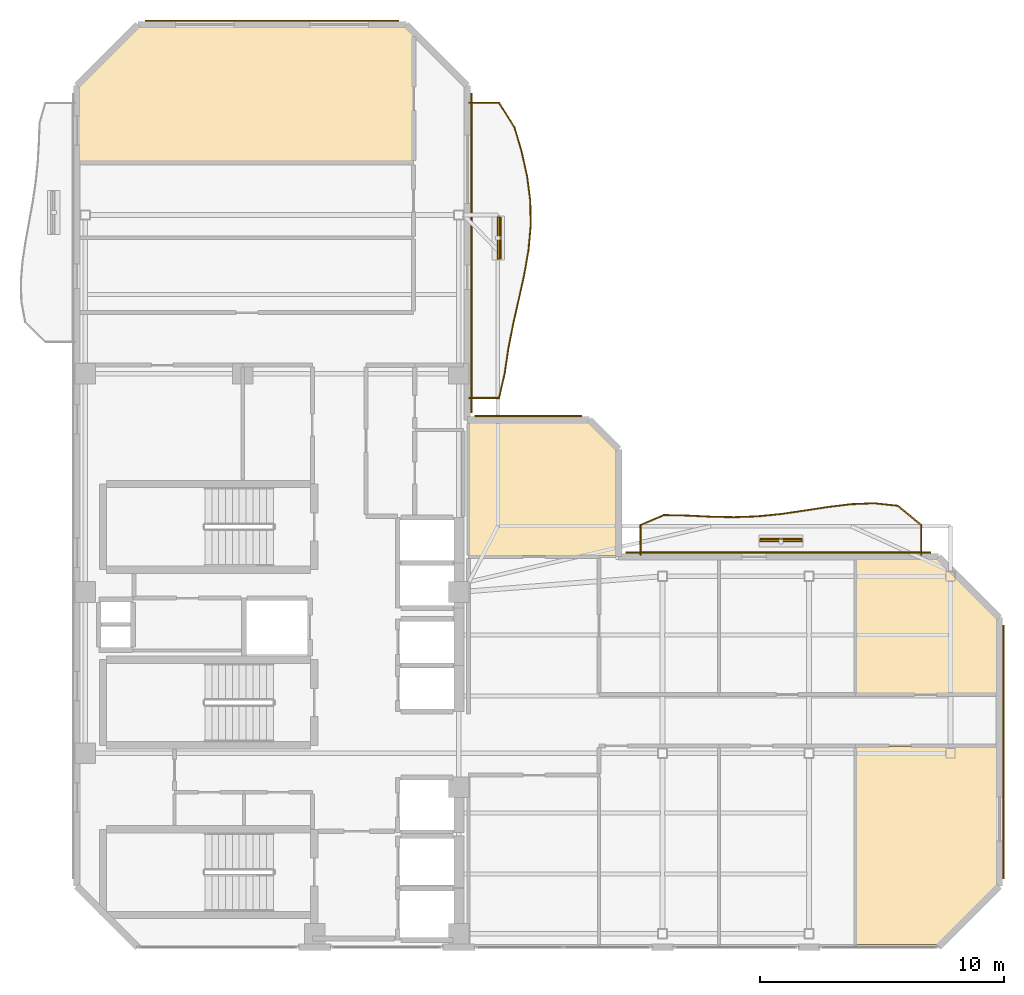
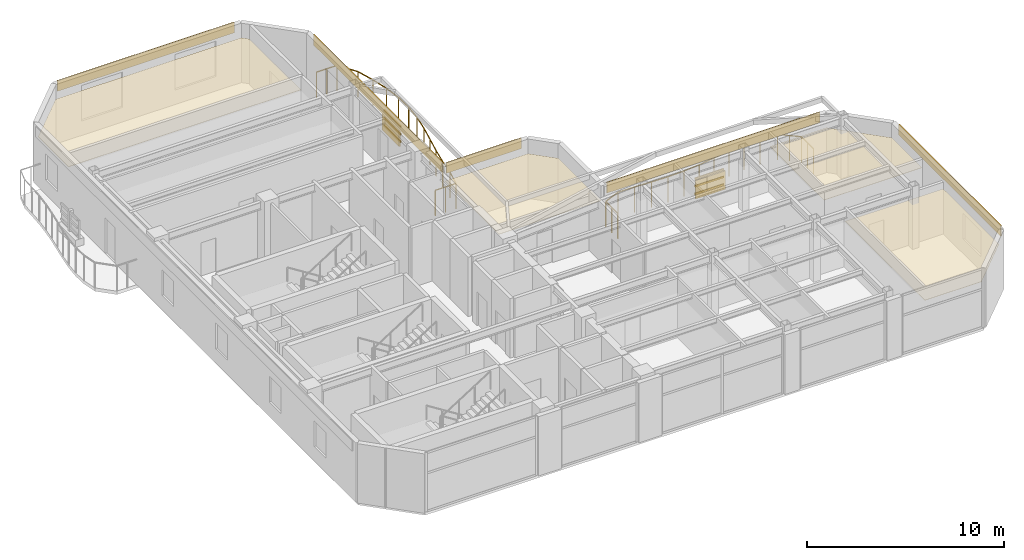
# One storey, part 15 of 15: 9 coverings, 8 shading devices, 2 railings.
"""IFC4 building model written with IfcOpenShell, lengths in metres."""

from ifc_helpers import new_model, si_unit, direction, frame, origin, origin_2d, place, context, subcontext, project, spatial, polyline, rectangle, outline, extrude, material, layer, layer_set, material_profile, profile_set, type_object, element, save


model = new_model("IFC4")

# Units and contexts
model_context = context("Model", 3, precision=1e-05, world=origin(), true_north=direction((0.0, 1.0)))
body_context = subcontext(model_context, "Body", "Model", "MODEL_VIEW")
ifc_project = project(units=[si_unit("LENGTHUNIT", "METRE"), si_unit("AREAUNIT", "SQUARE_METRE"), si_unit("VOLUMEUNIT", "CUBIC_METRE"), si_unit("PLANEANGLEUNIT", "RADIAN"), si_unit("MASSUNIT", "GRAM", prefix="KILO")], contexts=[model_context])

# Site, building, storey
site_placement = place(None, origin())
site = spatial("IfcSite", under=ifc_project, at=site_placement, CompositionType="ELEMENT")
building_placement = place(site_placement, origin())
building = spatial("IfcBuilding", under=site, at=building_placement, Name="Mawjaban Terraces University", CompositionType="ELEMENT")
storey_placement = place(building_placement, frame((0.0, 0.0, 295.0)))
storey = spatial("IfcBuildingStorey", under=building, at=storey_placement, Name="L72", CompositionType="ELEMENT", Elevation=295.0)

# Coverings
ifc_material_1 = material(Name="Acoustic mineral fibre ceiling tile", Category="masonry")
ifc_layer_1 = layer(ifc_material_1, 0.02001953125)
ifc_layer_set_1 = layer_set([ifc_layer_1], Name="Acoustic mineral fibre ceiling tile")
covering_type_1 = type_object("IfcCoveringType", Name="AcousticMineralCeiling_20", PredefinedType="CEILING", material=ifc_layer_set_1)
covering_1_placement = place(storey_placement, frame((0.0, 0.0, 2.75)))
element("IfcCovering", 1, at=covering_1_placement, inside=storey, type_object=covering_type_1, Name="L72 Departmental Office 6 Acoustic Ceiling", PredefinedType="CEILING", context=body_context, shape_type="SweptSolid", body=[
    extrude(outline(polyline([(53.926025390625, 0.114990234375), (57.2529296875, 0.114990234375), (59.68505859375, 2.547119140625), (59.68505859375, 8.219970703125), (53.926025390625, 8.219970703125), (53.926025390625, 0.114990234375)])), origin(), (0.0, 0.0, 1.0), 0.02001953125),
])
covering_2_placement = place(storey_placement, frame((0.0, 0.0, 2.75)))
element("IfcCovering", 2, at=covering_2_placement, inside=storey, type_object=covering_type_1, Name="L72 Faculty Office 7 Acoustic Ceiling", PredefinedType="CEILING", context=body_context, shape_type="SweptSolid", body=[
    extrude(outline(polyline([(59.68505859375, 10.3798828125), (59.68505859375, 13.452880859375), (57.2529296875, 15.885009765625), (53.926025390625, 15.885009765625), (53.926025390625, 10.3798828125), (59.68505859375, 10.3798828125)])), origin(), (0.0, 0.0, 1.0), 0.02001953125),
])
covering_3_placement = place(storey_placement, frame((0.0, 0.0, 2.75)))
element("IfcCovering", 3, at=covering_3_placement, inside=storey, type_object=covering_type_1, Name="L72 Media Workshop 10 Acoustic Ceiling", PredefinedType="CEILING", context=body_context, shape_type="SweptSolid", body=[
    extrude(outline(polyline([(35.77001953125, 37.367919921875), (35.452880859375, 37.68505859375), (24.547119140625, 37.68505859375), (22.114990234375, 35.2529296875), (22.114990234375, 32.166015625), (35.77001953125, 32.166015625), (35.77001953125, 37.367919921875)])), origin(), (0.0, 0.0, 1.0), 0.02001953125),
])
covering_4_placement = place(storey_placement, frame((0.0, 0.0, 2.75)))
element("IfcCovering", 4, at=covering_4_placement, inside=storey, type_object=covering_type_1, Name="L72 Terrace Collaborative Study Room Acoustic Ceiling", PredefinedType="CEILING", context=body_context, shape_type="SweptSolid", body=[
    extrude(outline(polyline([(44.0849609375, 16.030029296875), (44.0849609375, 20.35302734375), (42.952880859375, 21.485107421875), (38.080078125, 21.485107421875), (38.080078125, 16.030029296875), (44.0849609375, 16.030029296875)])), origin(), (0.0, 0.0, 1.0), 0.02001953125),
])

# Railings
ifc_material_2 = material(Name="Galvanised powder-coated steel S355", Category="steel")
railing_type = type_object("IfcRailingType", Name="BalconyBalustrade_1600", PredefinedType="BALUSTRADE", material=ifc_material_2)
railing_1_placement = place(storey_placement, frame((45.10009765625, 16.080078125, 0.0)))
element("IfcRailing", 5, at=railing_1_placement, inside=storey, type_object=railing_type, Name="L72 Balcony Guardrail inner_north", PredefinedType="BALUSTRADE", context=body_context, shape_type="SweptSolid", body=[
    extrude(rectangle(XDim=0.048095703125, YDim=0.048095703125, at=origin_2d()), frame((0.0, 0.0, 1.576171875), z_axis=(0.0, 1.0, 0.0), x_axis=(-1.0, 0.0, 0.0)), (0.0, 0.0, 1.0), 1.219970703125),
    extrude(rectangle(XDim=0.048095703125, YDim=0.048095703125, at=origin_2d()), frame((0.0, 1.219970703125, 1.576171875), z_axis=(0.919375128815, 0.393381967706, 0.0), x_axis=(-0.393381967706, 0.919375128815, 0.0)), (0.0, 0.0, 1.0), 1.0419921875),
    extrude(rectangle(XDim=0.048095703125, YDim=0.048095703125, at=origin_2d()), frame((0.9580078125, 1.6298828125, 1.576171875), z_axis=(0.999782172438, -0.020871216431, 0.0), x_axis=(0.020871216431, 0.999782172438, 0.0)), (0.0, 0.0, 1.0), 0.959228515625),
    extrude(rectangle(XDim=0.048095703125, YDim=0.048095703125, at=origin_2d()), frame((1.9169921875, 1.60986328125, 1.576171875), z_axis=(0.998754876487, -0.049886838887, 0.0), x_axis=(0.049886838887, 0.998754876487, 0.0)), (0.0, 0.0, 1.0), 0.959228515625),
    extrude(rectangle(XDim=0.048095703125, YDim=0.048095703125, at=origin_2d()), frame((2.875, 1.56201171875, 1.576171875), z_axis=(0.999781728264, -0.020892482599, 0.0), x_axis=(0.020892482599, 0.999781728264, 0.0)), (0.0, 0.0, 1.0), 0.958251953125),
    extrude(rectangle(XDim=0.048095703125, YDim=0.048095703125, at=origin_2d()), frame((3.8330078125, 1.5419921875, 1.576171875), z_axis=(0.999337985213, 0.036381194472, 0.0), x_axis=(-0.036381194472, 0.999337985213, 0.0)), (0.0, 0.0, 1.0), 0.959716796875),
    extrude(rectangle(XDim=0.048095703125, YDim=0.048095703125, at=origin_2d()), frame((4.7919921875, 1.576904296875, 1.576171875), z_axis=(0.995122193927, 0.098649983037, 0.0), x_axis=(-0.098649983037, 0.995122193927, 0.0)), (0.0, 0.0, 1.0), 0.962646484375),
    extrude(rectangle(XDim=0.048095703125, YDim=0.048095703125, at=origin_2d()), frame((5.75, 1.671875, 1.576171875), z_axis=(0.989613853355, 0.143751247812, 0.0), x_axis=(-0.143751247812, 0.989613853355, 0.0)), (0.0, 0.0, 1.0), 0.968017578125),
    extrude(rectangle(XDim=0.048095703125, YDim=0.048095703125, at=origin_2d()), frame((6.7080078125, 1.81103515625, 1.576171875), z_axis=(0.988307617897, 0.152473120276, 0.0), x_axis=(-0.152473120276, 0.988307617897, 0.0)), (0.0, 0.0, 1.0), 0.97021484375),
    extrude(rectangle(XDim=0.048095703125, YDim=0.048095703125, at=origin_2d()), frame((7.6669921875, 1.958984375, 1.576171875), z_axis=(0.992631784309, 0.121169883966, 0.0), x_axis=(-0.121169883966, 0.992631784309, 0.0)), (0.0, 0.0, 1.0), 0.965087890625),
    extrude(rectangle(XDim=0.048095703125, YDim=0.048095703125, at=origin_2d()), frame((8.625, 2.075927734375, 1.576171875), z_axis=(0.999250605016, 0.038706955138, 0.0), x_axis=(-0.038706955138, 0.999250605016, 0.0)), (0.0, 0.0, 1.0), 0.958740234375),
    extrude(rectangle(XDim=0.048095703125, YDim=0.048095703125, at=origin_2d()), frame((9.5830078125, 2.113037109375, 1.576171875), z_axis=(0.994385513116, -0.105818010306, 0.0), x_axis=(0.105818010306, 0.994385513116, 0.0)), (0.0, 0.0, 1.0), 0.96435546875),
    extrude(rectangle(XDim=0.048095703125, YDim=0.048095703125, at=origin_2d()), frame((10.5419921875, 2.010986328125, 1.576171875), z_axis=(0.771112757085, -0.636698606768, 0.0), x_axis=(0.636698606768, 0.771112757085, 0.0)), (0.0, 0.0, 1.0), 1.242431640625),
    extrude(rectangle(XDim=0.048095703125, YDim=0.048095703125, at=origin_2d()), frame((11.5, 1.219970703125, 1.576171875), z_axis=(0.0, -1.0, 0.0), x_axis=(1.0, 0.0, 0.0)), (0.0, 0.0, 1.0), 1.219970703125),
    extrude(rectangle(XDim=0.0419921875, YDim=0.0419921875, at=origin_2d()), origin(), (0.0, 0.0, 1.0), 1.552001953125),
    extrude(rectangle(XDim=0.0419921875, YDim=0.0419921875, at=origin_2d()), frame((0.0, 0.60986328125, 0.0)), (0.0, 0.0, 1.0), 1.552001953125),
    extrude(rectangle(XDim=0.0419921875, YDim=0.0419921875, at=origin_2d()), frame((0.0, 1.219970703125, 0.0)), (0.0, 0.0, 1.0), 1.552001953125),
    extrude(rectangle(XDim=0.0419921875, YDim=0.0419921875, at=origin_2d()), frame((0.9580078125, 1.6298828125, 0.0)), (0.0, 0.0, 1.0), 1.552001953125),
    extrude(rectangle(XDim=0.0419921875, YDim=0.0419921875, at=origin_2d()), frame((1.9169921875, 1.60986328125, 0.0)), (0.0, 0.0, 1.0), 1.552001953125),
    extrude(rectangle(XDim=0.0419921875, YDim=0.0419921875, at=origin_2d()), frame((2.875, 1.56201171875, 0.0)), (0.0, 0.0, 1.0), 1.552001953125),
    extrude(rectangle(XDim=0.0419921875, YDim=0.0419921875, at=origin_2d()), frame((3.8330078125, 1.5419921875, 0.0)), (0.0, 0.0, 1.0), 1.552001953125),
    extrude(rectangle(XDim=0.0419921875, YDim=0.0419921875, at=origin_2d()), frame((4.7919921875, 1.576904296875, 0.0)), (0.0, 0.0, 1.0), 1.552001953125),
    extrude(rectangle(XDim=0.0419921875, YDim=0.0419921875, at=origin_2d()), frame((5.75, 1.671875, 0.0)), (0.0, 0.0, 1.0), 1.552001953125),
    extrude(rectangle(XDim=0.0419921875, YDim=0.0419921875, at=origin_2d()), frame((6.7080078125, 1.81103515625, 0.0)), (0.0, 0.0, 1.0), 1.552001953125),
    extrude(rectangle(XDim=0.0419921875, YDim=0.0419921875, at=origin_2d()), frame((7.6669921875, 1.958984375, 0.0)), (0.0, 0.0, 1.0), 1.552001953125),
    extrude(rectangle(XDim=0.0419921875, YDim=0.0419921875, at=origin_2d()), frame((8.625, 2.075927734375, 0.0)), (0.0, 0.0, 1.0), 1.552001953125),
    extrude(rectangle(XDim=0.0419921875, YDim=0.0419921875, at=origin_2d()), frame((9.5830078125, 2.113037109375, 0.0)), (0.0, 0.0, 1.0), 1.552001953125),
    extrude(rectangle(XDim=0.0419921875, YDim=0.0419921875, at=origin_2d()), frame((10.5419921875, 2.010986328125, 0.0)), (0.0, 0.0, 1.0), 1.552001953125),
    extrude(rectangle(XDim=0.0419921875, YDim=0.0419921875, at=origin_2d()), frame((11.02099609375, 1.615478515625, 0.0)), (0.0, 0.0, 1.0), 1.552001953125),
    extrude(rectangle(XDim=0.0419921875, YDim=0.0419921875, at=origin_2d()), frame((11.5, 1.219970703125, 0.0)), (0.0, 0.0, 1.0), 1.552001953125),
    extrude(rectangle(XDim=0.0419921875, YDim=0.0419921875, at=origin_2d()), frame((11.5, 0.60986328125, 0.0)), (0.0, 0.0, 1.0), 1.552001953125),
    extrude(rectangle(XDim=0.0419921875, YDim=0.0419921875, at=origin_2d()), frame((11.5, 0.0, 0.0)), (0.0, 0.0, 1.0), 1.552001953125),
])
railing_2_placement = place(storey_placement, frame((38.080078125, 22.5, 0.0)))
element("IfcRailing", 6, at=railing_2_placement, inside=storey, type_object=railing_type, Name="L72 Balcony Guardrail inner_east", PredefinedType="BALUSTRADE", context=body_context, shape_type="SweptSolid", body=[
    extrude(rectangle(XDim=0.048095703125, YDim=0.048095703125, at=origin_2d()), frame((0.0, 0.0, 1.576171875), z_axis=(1.0, 0.0, 0.0), x_axis=(0.0, 1.0, 0.0)), (0.0, 0.0, 1.0), 1.219970703125),
    extrude(rectangle(XDim=0.048095703125, YDim=0.048095703125, at=origin_2d()), frame((1.219970703125, 0.0, 1.576171875), z_axis=(0.226908976283, 0.973915969929, 0.0), x_axis=(-0.973915969929, 0.226908976283, 0.0)), (0.0, 0.0, 1.0), 1.03515625),
    extrude(rectangle(XDim=0.048095703125, YDim=0.048095703125, at=origin_2d()), frame((1.454833984375, 1.008056640625, 1.576171875), z_axis=(0.145307910641, 0.989386482172, 0.0), x_axis=(-0.989386482172, 0.145307910641, 0.0)), (0.0, 0.0, 1.0), 1.019775390625),
    extrude(rectangle(XDim=0.048095703125, YDim=0.048095703125, at=origin_2d()), frame((1.60302734375, 2.01708984375, 1.576171875), z_axis=(0.191633256521, 0.981466604116, 0.0), x_axis=(-0.981466604116, 0.191633256521, 0.0)), (0.0, 0.0, 1.0), 1.02685546875),
    extrude(rectangle(XDim=0.048095703125, YDim=0.048095703125, at=origin_2d()), frame((1.7998046875, 3.02490234375, 1.576171875), z_axis=(0.221529232204, 0.9751537311, 0.0), x_axis=(-0.9751537311, 0.221529232204, 0.0)), (0.0, 0.0, 1.0), 1.03369140625),
    extrude(rectangle(XDim=0.048095703125, YDim=0.048095703125, at=origin_2d()), frame((2.02880859375, 4.032958984375, 1.576171875), z_axis=(0.216830419577, 0.976209285525, 0.0), x_axis=(-0.976209285525, 0.216830419577, 0.0)), (0.0, 0.0, 1.0), 1.03369140625),
    extrude(rectangle(XDim=0.048095703125, YDim=0.048095703125, at=origin_2d()), frame((2.2529296875, 5.0419921875, 1.576171875), z_axis=(0.172015723217, 0.985094204108, 0.0), x_axis=(-0.985094204108, 0.172015723217, 0.0)), (0.0, 0.0, 1.0), 1.023193359375),
    extrude(rectangle(XDim=0.048095703125, YDim=0.048095703125, at=origin_2d()), frame((2.428955078125, 6.050048828125, 1.576171875), z_axis=(0.089970278549, 0.995944450749, 0.0), x_axis=(-0.995944450749, 0.089970278549, 0.0)), (0.0, 0.0, 1.0), 1.01220703125),
    extrude(rectangle(XDim=0.048095703125, YDim=0.048095703125, at=origin_2d()), frame((2.52001953125, 7.05810546875, 1.576171875), z_axis=(-0.015970857263, 0.999872457726, 0.0), x_axis=(-0.999872457726, -0.015970857263, 0.0)), (0.0, 0.0, 1.0), 1.009033203125),
    extrude(rectangle(XDim=0.048095703125, YDim=0.048095703125, at=origin_2d()), frame((2.50390625, 8.06689453125, 1.576171875), z_axis=(-0.125897473315, 0.992043258237, 0.0), x_axis=(-0.992043258237, -0.125897473315, 0.0)), (0.0, 0.0, 1.0), 1.01611328125),
    extrude(rectangle(XDim=0.048095703125, YDim=0.048095703125, at=origin_2d()), frame((2.3759765625, 9.074951171875, 1.576171875), z_axis=(-0.21522723098, 0.97656399639, 0.0), x_axis=(-0.97656399639, -0.21522723098, 0.0)), (0.0, 0.0, 1.0), 1.0322265625),
    extrude(rectangle(XDim=0.048095703125, YDim=0.048095703125, at=origin_2d()), frame((2.15380859375, 10.0830078125, 1.576171875), z_axis=(-0.283108453944, 0.959087901762, 0.0), x_axis=(-0.959087901762, -0.283108453944, 0.0)), (0.0, 0.0, 1.0), 1.052001953125),
    extrude(rectangle(XDim=0.048095703125, YDim=0.048095703125, at=origin_2d()), frame((1.85595703125, 11.092041015625, 1.576171875), z_axis=(-0.533584484103, 0.845746769621, 0.0), x_axis=(-0.845746769621, -0.533584484103, 0.0)), (0.0, 0.0, 1.0), 1.19189453125),
    extrude(rectangle(XDim=0.048095703125, YDim=0.048095703125, at=origin_2d()), frame((1.219970703125, 12.10009765625, 1.576171875), z_axis=(-1.0, 0.0, 0.0), x_axis=(0.0, -1.0, 0.0)), (0.0, 0.0, 1.0), 1.219970703125),
    extrude(rectangle(XDim=0.0419921875, YDim=0.0419921875, at=origin_2d()), origin(), (0.0, 0.0, 1.0), 1.552001953125),
    extrude(rectangle(XDim=0.0419921875, YDim=0.0419921875, at=origin_2d()), frame((0.60986328125, 0.0, 0.0)), (0.0, 0.0, 1.0), 1.552001953125),
    extrude(rectangle(XDim=0.0419921875, YDim=0.0419921875, at=origin_2d()), frame((1.219970703125, 0.0, 0.0)), (0.0, 0.0, 1.0), 1.552001953125),
    extrude(rectangle(XDim=0.0419921875, YDim=0.0419921875, at=origin_2d()), frame((1.454833984375, 1.008056640625, 0.0)), (0.0, 0.0, 1.0), 1.552001953125),
    extrude(rectangle(XDim=0.0419921875, YDim=0.0419921875, at=origin_2d()), frame((1.60302734375, 2.01708984375, 0.0)), (0.0, 0.0, 1.0), 1.552001953125),
    extrude(rectangle(XDim=0.0419921875, YDim=0.0419921875, at=origin_2d()), frame((1.7998046875, 3.02490234375, 0.0)), (0.0, 0.0, 1.0), 1.552001953125),
    extrude(rectangle(XDim=0.0419921875, YDim=0.0419921875, at=origin_2d()), frame((2.02880859375, 4.032958984375, 0.0)), (0.0, 0.0, 1.0), 1.552001953125),
    extrude(rectangle(XDim=0.0419921875, YDim=0.0419921875, at=origin_2d()), frame((2.2529296875, 5.0419921875, 0.0)), (0.0, 0.0, 1.0), 1.552001953125),
    extrude(rectangle(XDim=0.0419921875, YDim=0.0419921875, at=origin_2d()), frame((2.428955078125, 6.050048828125, 0.0)), (0.0, 0.0, 1.0), 1.552001953125),
    extrude(rectangle(XDim=0.0419921875, YDim=0.0419921875, at=origin_2d()), frame((2.52001953125, 7.05810546875, 0.0)), (0.0, 0.0, 1.0), 1.552001953125),
    extrude(rectangle(XDim=0.0419921875, YDim=0.0419921875, at=origin_2d()), frame((2.50390625, 8.06689453125, 0.0)), (0.0, 0.0, 1.0), 1.552001953125),
    extrude(rectangle(XDim=0.0419921875, YDim=0.0419921875, at=origin_2d()), frame((2.3759765625, 9.074951171875, 0.0)), (0.0, 0.0, 1.0), 1.552001953125),
    extrude(rectangle(XDim=0.0419921875, YDim=0.0419921875, at=origin_2d()), frame((2.15380859375, 10.0830078125, 0.0)), (0.0, 0.0, 1.0), 1.552001953125),
    extrude(rectangle(XDim=0.0419921875, YDim=0.0419921875, at=origin_2d()), frame((1.85595703125, 11.092041015625, 0.0)), (0.0, 0.0, 1.0), 1.552001953125),
    extrude(rectangle(XDim=0.0419921875, YDim=0.0419921875, at=origin_2d()), frame((1.219970703125, 12.10009765625, 0.0)), (0.0, 0.0, 1.0), 1.552001953125),
    extrude(rectangle(XDim=0.0419921875, YDim=0.0419921875, at=origin_2d()), frame((0.60986328125, 12.10009765625, 0.0)), (0.0, 0.0, 1.0), 1.552001953125),
    extrude(rectangle(XDim=0.0419921875, YDim=0.0419921875, at=origin_2d()), frame((0.0, 12.10009765625, 0.0)), (0.0, 0.0, 1.0), 1.552001953125),
])

# Shading devices
ifc_material_3 = material(Name="Glazed architectural terracotta ceramic", Category="masonry")
ifc_material_profile = material_profile(ifc_material_3, rectangle(XDim=0.06494140625, YDim=0.110107421875, at=origin_2d()), Name="TBAG110X65")
ifc_profile_set = profile_set([ifc_material_profile], Name="Glazed architectural terracotta ceramic")
shading_device_type_1 = type_object("IfcShadingDeviceType", Name="TerracottaBaguette_110x65", PredefinedType="USERDEFINED", material=ifc_profile_set)
for number, where, z_axis, x_axis, name in (
    (7, (50.0, 16.72998046875, 0.679931640625), (1.0, 0.0, 0.0), (0.0, 1.0, 0.0), "L72 Horizontal Terracotta Baguette inner_north.1"),
    (8, (50.0, 16.72998046875, 1.14990234375), (1.0, 0.0, 0.0), (0.0, 1.0, 0.0), "L72 Horizontal Terracotta Baguette inner_north.2"),
    (9, (50.0, 16.72998046875, 1.6201171875), (1.0, 0.0, 0.0), (0.0, 1.0, 0.0), "L72 Horizontal Terracotta Baguette inner_north.3"),
    (10, (39.35693359375, 28.2041015625, 0.679931640625), (0.0, 1.0, 0.0), (-1.0, 0.0, 0.0), "L72 Horizontal Terracotta Baguette inner_east.1"),
    (11, (39.35693359375, 28.2041015625, 1.14990234375), (0.0, 1.0, 0.0), (-1.0, 0.0, 0.0), "L72 Horizontal Terracotta Baguette inner_east.2"),
    (12, (39.35693359375, 28.2041015625, 1.6201171875), (0.0, 1.0, 0.0), (-1.0, 0.0, 0.0), "L72 Horizontal Terracotta Baguette inner_east.3"),
):
    element("IfcShadingDevice", number, at=place(storey_placement, frame(where, z_axis=z_axis, x_axis=x_axis)), inside=storey, type_object=shading_device_type_1, Name=name, ObjectType="BAGUETTE", PredefinedType="USERDEFINED", context=body_context, shape_type="SweptSolid", body=[
        extrude(rectangle(XDim=0.06494140625, YDim=0.110107421875, at=origin_2d()), origin(), (0.0, 0.0, 1.0), 1.699951171875),
    ])
ifc_layer_2 = layer(ifc_material_3, 0.080078125)
ifc_layer_set_2 = layer_set([ifc_layer_2], Name="Glazed architectural terracotta ceramic")
shading_device_type_2 = type_object("IfcShadingDeviceType", Name="TerracottaScreen_Perforated", PredefinedType="USERDEFINED", material=ifc_layer_set_2)
for number, where, z_axis, x_axis, name in (
    (13, (50.85009765625, 16.64501953125, 0.43994140625), (0.0, 0.0, 1.0), (1.0, 0.0, 0.0), "L72 Balcony Perforated Terracotta Screen inner_north"),
    (14, (39.27197265625, 29.053955078125, 0.43994140625), (0.0, 0.0, 1.0), (0.0, 1.0, 0.0), "L72 Balcony Perforated Terracotta Screen inner_east"),
):
    element("IfcShadingDevice", number, at=place(storey_placement, frame(where, z_axis=z_axis, x_axis=x_axis)), inside=storey, type_object=shading_device_type_2, Name=name, ObjectType="SCREEN", PredefinedType="USERDEFINED", context=body_context, shape_type="SweptSolid", body=[
        extrude(rectangle(XDim=1.75, YDim=0.080078125, at=origin_2d()), origin(), (0.0, 0.0, 1.0), 1.14990234375),
    ])

# Coverings
ifc_material_4 = material(Name="Glazed architectural terracotta rainscreen", Category="masonry")
ifc_layer_3 = layer(ifc_material_4, 0.06005859375)
ifc_layer_set_3 = layer_set([ifc_layer_3], Name="Glazed architectural terracotta rainscreen")
covering_type_2 = type_object("IfcCoveringType", Name="TerracottaSpandrelCladding_60", PredefinedType="CLADDING", material=ifc_layer_set_3)
covering_5_placement = place(storey_placement, frame((59.9619140625, 8.0, 3.01513671875), z_axis=(0.0, 0.0, 1.0), x_axis=(0.0, 1.0, 0.0)))
element("IfcCovering", 15, at=covering_5_placement, inside=storey, type_object=covering_type_2, Name="L72 Terracotta Spandrel Cladding 3", PredefinedType="CLADDING", context=body_context, shape_type="SweptSolid", body=[
    extrude(rectangle(XDim=10.39990234375, YDim=0.06005859375, at=origin_2d()), origin(), (0.0, 0.0, 1.0), 0.64990234375),
])
covering_6_placement = place(storey_placement, frame((50.75, 16.1630859375, 3.01513671875), z_axis=(0.0, 0.0, 1.0), x_axis=(-1.0, 0.0, 0.0)))
element("IfcCovering", 16, at=covering_6_placement, inside=storey, type_object=covering_type_2, Name="L72 Terracotta Spandrel Cladding 5", PredefinedType="CLADDING", context=body_context, shape_type="SweptSolid", body=[
    extrude(rectangle(XDim=12.5, YDim=0.06005859375, at=origin_2d()), origin(), (0.0, 0.0, 1.0), 0.64990234375),
])
covering_7_placement = place(storey_placement, frame((40.5, 21.762939453125, 3.01513671875), z_axis=(0.0, 0.0, 1.0), x_axis=(-1.0, 0.0, 0.0)))
element("IfcCovering", 17, at=covering_7_placement, inside=storey, type_object=covering_type_2, Name="L72 Terracotta Spandrel Cladding 8", PredefinedType="CLADDING", context=body_context, shape_type="SweptSolid", body=[
    extrude(rectangle(XDim=4.39990234375, YDim=0.06005859375, at=origin_2d()), origin(), (0.0, 0.0, 1.0), 0.64990234375),
])
covering_8_placement = place(storey_placement, frame((38.1630859375, 28.449951171875, 3.01513671875), z_axis=(0.0, 0.0, 1.0), x_axis=(0.0, 1.0, 0.0)))
element("IfcCovering", 18, at=covering_8_placement, inside=storey, type_object=covering_type_2, Name="L72 Terracotta Spandrel Cladding 9", PredefinedType="CLADDING", context=body_context, shape_type="SweptSolid", body=[
    extrude(rectangle(XDim=13.10009765625, YDim=0.06005859375, at=origin_2d()), origin(), (0.0, 0.0, 1.0), 0.64990234375),
])
covering_9_placement = place(storey_placement, frame((30.0, 37.9619140625, 3.01513671875), z_axis=(0.0, 0.0, 1.0), x_axis=(-1.0, 0.0, 0.0)))
element("IfcCovering", 19, at=covering_9_placement, inside=storey, type_object=covering_type_2, Name="L72 Terracotta Spandrel Cladding 11", PredefinedType="CLADDING", context=body_context, shape_type="SweptSolid", body=[
    extrude(rectangle(XDim=10.39990234375, YDim=0.06005859375, at=origin_2d()), origin(), (0.0, 0.0, 1.0), 0.64990234375),
])

save(model, "model.ifc")
